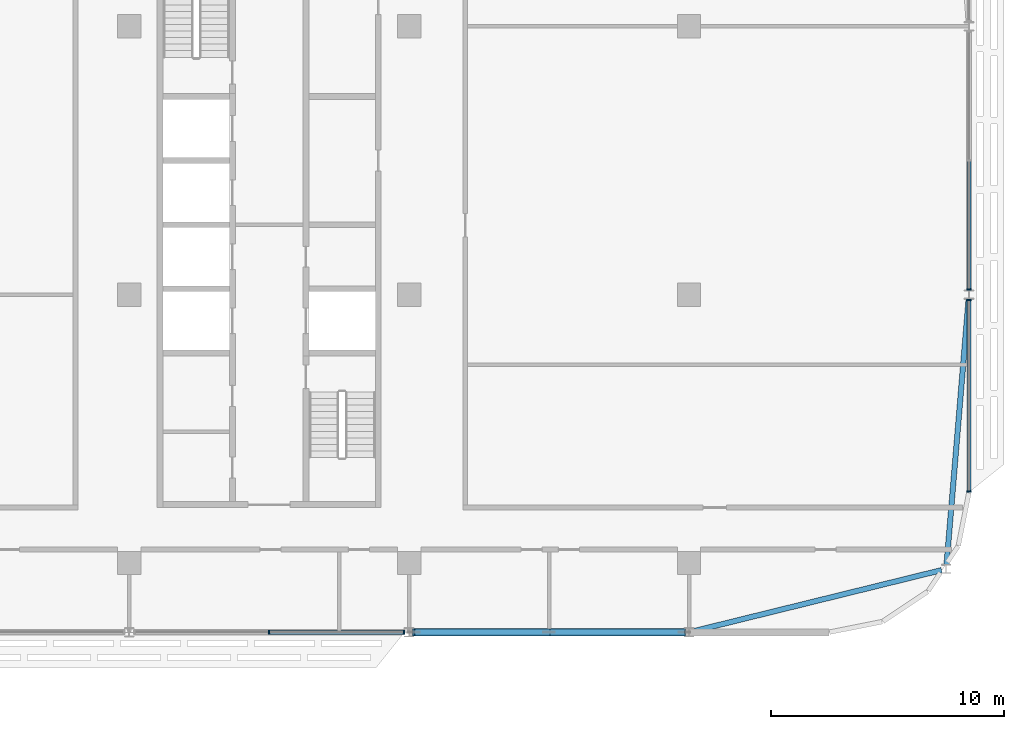
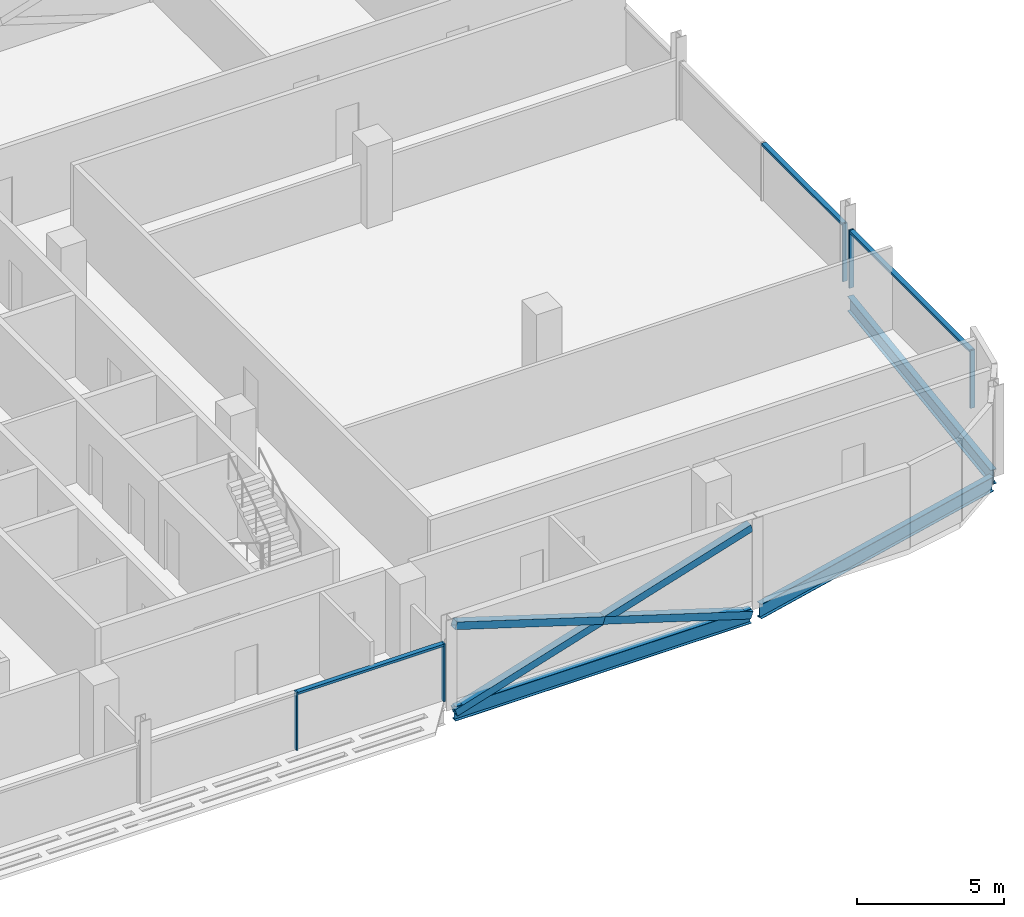
# One storey, part 12 of 33: 11 members, 3 beams, 3 elements without a shape of their own.
"""IFC4 building model written with IfcOpenShell, lengths in metres."""

from ifc_helpers import new_model, si_unit, direction, frame, origin, origin_2d, place, context, subcontext, project, spatial, rectangle, hollow_rectangle, i_section, extrude, material, material_profile, profile_set, type_object, element, aggregate, save


model = new_model("IFC4")

# Units and contexts
model_context = context("Model", 3, precision=1e-05, world=origin(), true_north=direction((0.0, 1.0)))
body_context = subcontext(model_context, "Body", "Model", "MODEL_VIEW")
ifc_project = project(units=[si_unit("LENGTHUNIT", "METRE"), si_unit("AREAUNIT", "SQUARE_METRE"), si_unit("VOLUMEUNIT", "CUBIC_METRE"), si_unit("PLANEANGLEUNIT", "RADIAN"), si_unit("MASSUNIT", "GRAM", prefix="KILO")], contexts=[model_context])

# Site, building, storey
site_placement = place(None, origin())
site = spatial("IfcSite", under=ifc_project, at=site_placement, CompositionType="ELEMENT")
building_placement = place(site_placement, origin())
building = spatial("IfcBuilding", under=site, at=building_placement, Name="Mahtab Terrace Research Tower", CompositionType="ELEMENT")
storey_placement = place(building_placement, frame((0.0, 0.0, 255.199951171875)))
storey = spatial("IfcBuildingStorey", under=building, at=storey_placement, Name="L62", CompositionType="ELEMENT", Elevation=255.199951171875)

# Members
ifc_material_1 = material(Name="Steel ASTM A500 Gr C", Category="steel")
ifc_material_profile_1 = material_profile(ifc_material_1, hollow_rectangle(XDim=0.3046875, YDim=0.3046875, WallThickness=0.015869140625, at=origin_2d()), Name="HSS12X12X5/8")
ifc_profile_set_1 = profile_set([ifc_material_profile_1], Name="Steel ASTM A500 Gr C")
member_type_1 = type_object("IfcMemberType", Name="HSS 12x12x5/8 brace XB121258", PredefinedType="BRACE", material=ifc_profile_set_1)
member_1_placement = place(storey_placement, frame((30.199462890625, -14.472900390625, -0.581298828125), z_axis=(0.954704930232, 0.0, 0.297554190343), x_axis=(0.0, 1.0, 0.0)))
element("IfcMember", 1, at=member_1_placement, inside=storey, type_object=member_type_1, Name="Exoskeleton brace L62 18 a", PredefinedType="BRACE", context=body_context, shape_type="SweptSolid", body=[
    extrude(hollow_rectangle(XDim=0.3046875, YDim=0.3046875, WallThickness=0.015869140625, at=origin_2d()), origin(), (0.0, 0.0, 1.0), 12.1513671875),
])
for number, where, z_axis, x_axis, name in (
    (2, (41.800537109375, -14.472900390625, -0.581298828125), (-0.954704930232, 0.0, 0.297554190343), (0.0, -1.0, 0.0), "Exoskeleton brace L62 18 b1"),
    (3, (36.0, -14.472900390625, 1.2265625), (-0.954704930232, 0.0, 0.297554190343), (0.0, -1.0, 0.0), "Exoskeleton brace L62 18 b2"),
):
    element("IfcMember", number, at=place(storey_placement, frame(where, z_axis=z_axis, x_axis=x_axis)), inside=storey, type_object=member_type_1, Name=name, PredefinedType="BRACE", context=body_context, shape_type="SweptSolid", body=[
        extrude(hollow_rectangle(XDim=0.3046875, YDim=0.3046875, WallThickness=0.015869140625, at=origin_2d()), origin(), (0.0, 0.0, 1.0), 6.07568359375),
    ])

# Curtain wall, members
ifc_material_2 = material(Name="Office ribbon curtain wall")
curtain_wall_type = type_object("IfcCurtainWallType", Name="Office ribbon curtain wall", PredefinedType="NOTDEFINED", material=ifc_material_2)
curtain_wall_1_placement = place(storey_placement, origin())
curtain_wall_1 = element("IfcCurtainWall", 4, at=curtain_wall_1_placement, inside=storey, type_object=curtain_wall_type, Name="EN.L62.13.30", PredefinedType="NOTDEFINED")
ifc_material_3 = material(Name="Natural anodised aluminium", Category="aluminium")
ifc_material_profile_2 = material_profile(ifc_material_3, rectangle(XDim=0.179931640625, YDim=0.06005859375, at=origin_2d()), Name="MULLION 60x180")
ifc_profile_set_2 = profile_set([ifc_material_profile_2], Name="Natural anodised aluminium")
member_type_2 = type_object("IfcMemberType", Name="Office ribbon curtain wall mullion", PredefinedType="MULLION", material=ifc_profile_set_2)
member_2_placement = place(storey_placement, frame((24.0, -14.472900390625, 0.0), z_axis=(0.0, 0.0, 1.0), x_axis=(0.0, 1.0, 0.0)))
member_2 = element("IfcMember", 5, at=member_2_placement, type_object=member_type_2, Name="CWO-7 mullion 2", PredefinedType="MULLION", context=body_context, shape_type="SweptSolid", body=[
    extrude(rectangle(XDim=0.179931640625, YDim=0.06005859375, at=origin_2d()), origin(), (0.0, 0.0, 1.0), 2.4013671875),
])
member_3_placement = place(storey_placement, frame((29.777099609375, -14.472900390625, 0.0), z_axis=(0.0, 0.0, 1.0), x_axis=(0.0, 1.0, 0.0)))
member_3 = element("IfcMember", 6, at=member_3_placement, type_object=member_type_2, Name="CWO-7 mullion 3", PredefinedType="MULLION", context=body_context, shape_type="SweptSolid", body=[
    extrude(rectangle(XDim=0.179931640625, YDim=0.06005859375, at=origin_2d()), origin(), (0.0, 0.0, 1.0), 2.4013671875),
])

curtain_wall_2_placement = place(storey_placement, origin())
curtain_wall_2 = element("IfcCurtainWall", 7, at=curtain_wall_2_placement, inside=storey, type_object=curtain_wall_type, Name="EN.L62.18.38", PredefinedType="NOTDEFINED")
member_4_placement = place(storey_placement, frame((54.0, -8.443115234375, 0.0), z_axis=(0.0, 0.0, 1.0), x_axis=(-1.0, 0.0, 0.0)))
member_4 = element("IfcMember", 8, at=member_4_placement, type_object=member_type_2, Name="CWO-7 mullion 1", PredefinedType="MULLION", context=body_context, shape_type="SweptSolid", body=[
    extrude(rectangle(XDim=0.179931640625, YDim=0.06005859375, at=origin_2d()), origin(), (0.0, 0.0, 1.0), 2.4013671875),
])
member_5_placement = place(storey_placement, frame((54.0, -0.222900390625, 0.0), z_axis=(0.0, 0.0, 1.0), x_axis=(-1.0, 0.0, 0.0)))
member_5 = element("IfcMember", 9, at=member_5_placement, type_object=member_type_2, Name="CWO-7 mullion 2", PredefinedType="MULLION", context=body_context, shape_type="SweptSolid", body=[
    extrude(rectangle(XDim=0.179931640625, YDim=0.06005859375, at=origin_2d()), origin(), (0.0, 0.0, 1.0), 2.4013671875),
])

# Curtain wall, member
curtain_wall_3_placement = place(storey_placement, origin())
curtain_wall_3 = element("IfcCurtainWall", 10, at=curtain_wall_3_placement, inside=storey, type_object=curtain_wall_type, Name="EN.L62.18.39", PredefinedType="NOTDEFINED")
member_6_placement = place(storey_placement, frame((54.0, 0.222900390625, 0.0), z_axis=(0.0, 0.0, 1.0), x_axis=(-1.0, 0.0, 0.0)))
member_6 = element("IfcMember", 11, at=member_6_placement, type_object=member_type_2, Name="CWO-7 mullion 1", PredefinedType="MULLION", context=body_context, shape_type="SweptSolid", body=[
    extrude(rectangle(XDim=0.179931640625, YDim=0.06005859375, at=origin_2d()), origin(), (0.0, 0.0, 1.0), 2.4013671875),
])

# Member
ifc_material_profile_3 = material_profile(ifc_material_3, rectangle(XDim=0.179931640625, YDim=0.10009765625, at=origin_2d()), Name="TRANSOM 100x180")
ifc_profile_set_3 = profile_set([ifc_material_profile_3], Name="Natural anodised aluminium")
member_type_3 = type_object("IfcMemberType", Name="Office ribbon curtain wall transom", PredefinedType="USERDEFINED", material=ifc_profile_set_3)
member_7_placement = place(storey_placement, frame((24.030029296875, -14.472900390625, 2.351318359375), z_axis=(1.0, 0.0, 0.0), x_axis=(0.0, 1.0, 0.0)))
member_7 = element("IfcMember", 12, at=member_7_placement, type_object=member_type_3, Name="CWO-7 transom 2", ObjectType="TRANSOM", PredefinedType="USERDEFINED", context=body_context, shape_type="SweptSolid", body=[
    extrude(rectangle(XDim=0.179931640625, YDim=0.10009765625, at=origin_2d()), origin(), (0.0, 0.0, 1.0), 5.717041015625),
])

aggregate(curtain_wall_1, [member_2, member_3, member_7])

member_8_placement = place(storey_placement, frame((54.0, -8.4130859375, 2.351318359375), z_axis=(0.0, 1.0, 0.0), x_axis=(-1.0, 0.0, 0.0)))
member_8 = element("IfcMember", 13, at=member_8_placement, type_object=member_type_3, Name="CWO-7 transom 1", ObjectType="TRANSOM", PredefinedType="USERDEFINED", context=body_context, shape_type="SweptSolid", body=[
    extrude(rectangle(XDim=0.179931640625, YDim=0.10009765625, at=origin_2d()), origin(), (0.0, 0.0, 1.0), 8.16015625),
])

aggregate(curtain_wall_2, [member_4, member_5, member_8])

member_9_placement = place(storey_placement, frame((54.0, 0.2529296875, 2.351318359375), z_axis=(0.0, 1.0, 0.0), x_axis=(-1.0, 0.0, 0.0)))
member_9 = element("IfcMember", 14, at=member_9_placement, type_object=member_type_3, Name="CWO-7 transom 1", ObjectType="TRANSOM", PredefinedType="USERDEFINED", context=body_context, shape_type="SweptSolid", body=[
    extrude(rectangle(XDim=0.179931640625, YDim=0.10009765625, at=origin_2d()), origin(), (0.0, 0.0, 1.0), 5.467041015625),
])

aggregate(curtain_wall_3, [member_6, member_9])

# Beams
ifc_material_4 = material(Name="Steel ASTM A992 Gr 50", Category="steel")
ifc_material_profile_4 = material_profile(ifc_material_4, i_section(OverallWidth=0.228271484375, OverallDepth=0.607177734375, WebThickness=0.01123046875, FlangeThickness=0.017333984375, at=origin_2d()), Name="W24X76")
ifc_profile_set_4 = profile_set([ifc_material_profile_4], Name="Steel ASTM A992 Gr 50")
beam_type = type_object("IfcBeamType", Name="W24x76 beam BS2476", PredefinedType="BEAM", material=ifc_profile_set_4)
beam_1_placement = place(storey_placement, frame((30.199462890625, -14.472900390625, -0.6435546875), z_axis=(1.0, 0.0, 0.0), x_axis=(0.0, 1.0, 0.0)))
element("IfcBeam", 15, at=beam_1_placement, inside=storey, type_object=beam_type, Name="Spandrel beam L62 18", PredefinedType="BEAM", context=body_context, shape_type="SweptSolid", body=[
    extrude(i_section(OverallWidth=0.228271484375, OverallDepth=0.607177734375, WebThickness=0.01123046875, FlangeThickness=0.017333984375, at=origin_2d()), origin(), (0.0, 0.0, 1.0), 11.60107421875),
])
beam_2_placement = place(storey_placement, frame((42.199462890625, -14.423828125, -0.6435546875), z_axis=(0.970971673225, 0.239194502014, 0.0), x_axis=(-0.239194502014, 0.970971673225, 0.0)))
element("IfcBeam", 16, at=beam_2_placement, inside=storey, type_object=beam_type, Name="Spandrel beam L62 19", PredefinedType="BEAM", context=body_context, shape_type="SweptSolid", body=[
    extrude(i_section(OverallWidth=0.228271484375, OverallDepth=0.607177734375, WebThickness=0.01123046875, FlangeThickness=0.017333984375, at=origin_2d()), origin(), (0.0, 0.0, 1.0), 10.939697265625),
])
beam_3_placement = place(storey_placement, frame((53.037109375, -11.56494140625, -0.6435546875), z_axis=(0.08296934335, 0.996552100025, 0.0), x_axis=(-0.996552100025, 0.08296934335, 0.0)))
element("IfcBeam", 17, at=beam_3_placement, inside=storey, type_object=beam_type, Name="Spandrel beam L62 20", PredefinedType="BEAM", context=body_context, shape_type="SweptSolid", body=[
    extrude(i_section(OverallWidth=0.228271484375, OverallDepth=0.607177734375, WebThickness=0.01123046875, FlangeThickness=0.017333984375, at=origin_2d()), origin(), (0.0, 0.0, 1.0), 11.4111328125),
])

save(model, "model.ifc")
